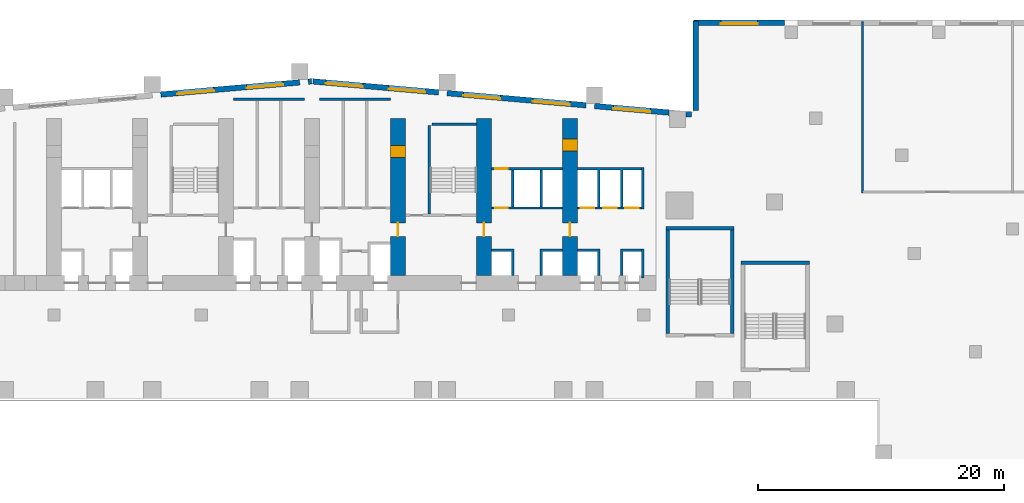
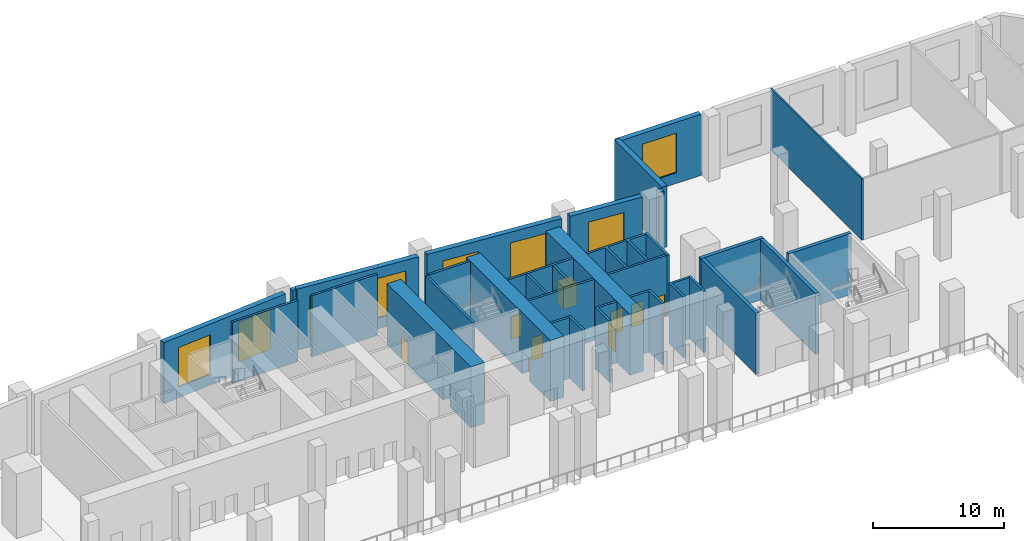
# One storey, part 16 of 30: 32 walls, 10 doors, 8 windows, 18 openings.
"""IFC4 building model written with IfcOpenShell, lengths in metres."""

import ifcopenshell
import ifcopenshell.guid

model = None  # the IFC model being written
_history = None  # IfcOwnerHistory: only IFC2X3 demands one
_inside = {}  # id of a spatial element -> (the spatial element, [elements in it])
_under = {}  # id of a project, library or spatial element -> (it, [spatial elements below it])
_declared = {}  # id of a project -> (the project, [libraries it declares])
_typed = {}  # id of a type object -> (the type object, [elements of that type])
_made_of = {}  # id of a material, layer set ... -> (it, [elements and type objects made of it])


def new_model(schema):
    """Start an empty IFC model of exactly this schema.

    Asked for "IFC4X3", IfcOpenShell would pick the latest addendum, in which some entities
    have other attributes; the version numbers below select the first issue.
    IFC2X3 requires an IfcOwnerHistory on every rooted entity: one is made here for all.
    """
    global model, _history
    if schema == "IFC4X3":
        model = ifcopenshell.file(schema_version=(4, 3, 0, 0))
    else:
        model = ifcopenshell.file(schema=schema)
    _inside.clear()
    _under.clear()
    _declared.clear()
    _typed.clear()
    _made_of.clear()
    _history = None
    if model.schema == "IFC2X3":
        org = make("IfcOrganization", Name="unknown")
        user = make(
            "IfcPersonAndOrganization",
            ThePerson=make("IfcPerson", FamilyName="unknown"),
            TheOrganization=org,
        )
        app = make(
            "IfcApplication",
            ApplicationDeveloper=org,
            Version="unknown",
            ApplicationFullName="unknown",
            ApplicationIdentifier="unknown",
        )
        _history = make(
            "IfcOwnerHistory",
            OwningUser=user,
            OwningApplication=app,
            ChangeAction="ADDED",
            CreationDate=0,
        )
    return model


def make(cls, **values):
    """One entity of the class cls with the attributes given. An attribute that is None is left unset."""
    return model.create_entity(
        cls, **{name: value for name, value in values.items() if value is not None}
    )


def rooted(cls, **values):
    """An entity with a GlobalId (a new one), such as an element, a storey or a relation."""
    return make(cls, GlobalId=ifcopenshell.guid.new(), OwnerHistory=_history, **values)


def si_unit(unit_type, name, prefix=None):
    """IfcSIUnit, for example si_unit("LENGTHUNIT", "METRE", prefix="MILLI")."""
    return make("IfcSIUnit", UnitType=unit_type, Prefix=prefix, Name=name)


def assignment(units):
    """IfcUnitAssignment: the units of a project."""
    return None if units is None else make("IfcUnitAssignment", Units=units)


def point(xyz):
    """IfcCartesianPoint."""
    return None if xyz is None else make("IfcCartesianPoint", Coordinates=xyz)


def direction(xyz):
    """IfcDirection."""
    return None if xyz is None else make("IfcDirection", DirectionRatios=xyz)


def frame(location, z_axis=None, x_axis=None):
    """IfcAxis2Placement3D, a coordinate frame: its origin and axes. An axis left out is left unset."""
    return make(
        "IfcAxis2Placement3D",
        Location=point(location),
        Axis=direction(z_axis),
        RefDirection=direction(x_axis),
    )


def frame_2d(location, x_axis=None):
    """IfcAxis2Placement2D, a coordinate frame in the plane: its origin and x axis."""
    return make(
        "IfcAxis2Placement2D", Location=point(location), RefDirection=direction(x_axis)
    )


def origin():
    """The frame at (0, 0, 0) with its axes left unset."""
    return frame((0.0, 0.0, 0.0))


def place(relative_to, where):
    """IfcLocalPlacement: puts the frame where relative to a parent placement (None: the world)."""
    return make(
        "IfcLocalPlacement", PlacementRelTo=relative_to, RelativePlacement=where
    )


def context(
    kind, dimensions, precision=None, world=None, true_north=None, identifier=None
):
    """IfcGeometricRepresentationContext, for example the 3D "Model" context."""
    return make(
        "IfcGeometricRepresentationContext",
        ContextIdentifier=identifier,
        ContextType=kind,
        CoordinateSpaceDimension=dimensions,
        Precision=precision,
        WorldCoordinateSystem=world,
        TrueNorth=true_north,
    )


def subcontext(parent, identifier, kind, view, scale=None):
    """IfcGeometricRepresentationSubContext, for example "Body" below "Model"."""
    return make(
        "IfcGeometricRepresentationSubContext",
        ContextIdentifier=identifier,
        ContextType=kind,
        ParentContext=parent,
        TargetScale=scale,
        TargetView=view,
    )


def project(units=None, contexts=None):
    """IfcProject with its units and contexts."""
    return rooted(
        "IfcProject",
        Name="project",
        RepresentationContexts=contexts,
        UnitsInContext=assignment(units),
    )


def spatial(cls, under=None, at=None, **own):
    """A site, building, storey or space (cls), placed at a placement, below another one or the project."""
    s = rooted(cls, ObjectPlacement=at, **own)
    if under is not None:
        _under.setdefault(under.id(), (under, []))[1].append(s)
    return s


def polyline(points):
    """IfcPolyline through the points."""
    return make("IfcPolyline", Points=[point(p) for p in points])


def profile(cls, at=None, kind="AREA", **sizes):
    """A parametric profile (cls). Its sizes go by their IFC names, for example OverallWidth=200.0."""
    return make(cls, ProfileType=kind, Position=at, **sizes)


def rectangle(**sizes):
    """IfcRectangleProfileDef."""
    return profile("IfcRectangleProfileDef", **sizes)


def outline(outer, holes=None, kind="AREA"):
    """IfcArbitraryClosedProfileDef: a profile drawn as a closed curve; with holes, ...WithVoids."""
    if holes is None:
        return make("IfcArbitraryClosedProfileDef", ProfileType=kind, OuterCurve=outer)
    return make(
        "IfcArbitraryProfileDefWithVoids",
        ProfileType=kind,
        OuterCurve=outer,
        InnerCurves=holes,
    )


def extrude(swept, where, along, depth):
    """IfcExtrudedAreaSolid: the profile swept, set in the frame where, extruded along a direction by depth."""
    return make(
        "IfcExtrudedAreaSolid",
        SweptArea=swept,
        Position=where,
        ExtrudedDirection=direction(along),
        Depth=depth,
    )


def shape(context_of_items, identifier, shape_type, items):
    """IfcShapeRepresentation: the items that make up one representation, for example the "Body"."""
    return make(
        "IfcShapeRepresentation",
        ContextOfItems=context_of_items,
        RepresentationIdentifier=identifier,
        RepresentationType=shape_type,
        Items=items,
    )


def material(Name=None, Category=None):
    """IfcMaterial."""
    return make("IfcMaterial", Name=Name, Category=Category)


def layer(
    of_material, thickness, ventilated=None, Name=None, Category=None, Priority=None
):
    """IfcMaterialLayer: one layer of a wall or slab, of a material (None: an air gap)."""
    return make(
        "IfcMaterialLayer",
        Material=of_material,
        LayerThickness=thickness,
        IsVentilated=ventilated,
        Name=Name,
        Category=Category,
        Priority=Priority,
    )


def layer_set(layers, Name=None):
    """IfcMaterialLayerSet."""
    return make("IfcMaterialLayerSet", MaterialLayers=layers, LayerSetName=Name)


def made_of(thing, what):
    """Note that an element or type object is made of a material, layer set ...; save() writes the relation."""
    if what is not None:
        _made_of.setdefault(what.id(), (what, []))[1].append(thing)
    return thing


def type_object(cls, material=None, **own):
    """A type object (cls), such as IfcWallType, which elements share."""
    return made_of(rooted(cls, **own), material)


def element(
    cls,
    number,
    at=None,
    inside=None,
    cuts=None,
    type_object=None,
    material=None,
    context=None,
    identifier="Body",
    shape_type=None,
    held_by="IfcProductDefinitionShape",
    body=None,
    shapes=None,
    **own,
):
    """One element of the class cls, such as IfcWall. Its Tag is "e" and its number.

    at: its placement. inside: the storey or other place that contains it. cuts: it is an
    opening in that element (IfcRelVoidsElement). A single representation is given by context,
    identifier, shape_type and body (its items); several are given by shapes. held_by: the class
    of the entity that holds the representations. save() writes the other relations.
    """
    e = rooted(cls, Tag="e%d" % number, ObjectPlacement=at, **own)
    if body is not None:
        shapes = [shape(context, identifier, shape_type, body)]
    if shapes is not None:
        e.Representation = make(held_by, Representations=shapes)
    if inside is not None:
        _inside.setdefault(inside.id(), (inside, []))[1].append(e)
    if cuts is not None:
        rooted(
            "IfcRelVoidsElement", RelatingBuildingElement=cuts, RelatedOpeningElement=e
        )
    if type_object is not None:
        _typed.setdefault(type_object.id(), (type_object, []))[1].append(e)
    return made_of(e, material)


def fill(opening, filler):
    """IfcRelFillsElement: the door or window that sits in an opening."""
    return rooted(
        "IfcRelFillsElement",
        RelatingOpeningElement=opening,
        RelatedBuildingElement=filler,
    )


def aggregate(whole, parts):
    """IfcRelAggregates: a whole, such as a stair, and the parts it consists of."""
    return rooted("IfcRelAggregates", RelatingObject=whole, RelatedObjects=parts)


def save(model, path):
    """Write the relations noted so far, then the file.

    IfcRelAggregates (storeys below a building ...), IfcRelContainedInSpatialStructure (elements
    in a storey), IfcRelDefinesByType, IfcRelAssociatesMaterial and IfcRelDeclares: one each for
    every whole, place, type object, material and project.
    """
    for whole, parts in _under.values():
        aggregate(whole, parts)
    for where, things in _inside.values():
        rooted(
            "IfcRelContainedInSpatialStructure",
            RelatedElements=things,
            RelatingStructure=where,
        )
    for kind, things in _typed.values():
        rooted("IfcRelDefinesByType", RelatedObjects=things, RelatingType=kind)
    for what, things in _made_of.values():
        rooted("IfcRelAssociatesMaterial", RelatedObjects=things, RelatingMaterial=what)
    for by, libraries in _declared.values():
        rooted("IfcRelDeclares", RelatingContext=by, RelatedDefinitions=libraries)
    model.write(path)


model = new_model("IFC4")

# Units and contexts
model_context = context("Model", 3, precision=1e-05, world=origin(), true_north=direction((0.0, 1.0)))
body_context = subcontext(model_context, "Body", "Model", "MODEL_VIEW")
ifc_project = project(units=[si_unit("LENGTHUNIT", "METRE"), si_unit("AREAUNIT", "SQUARE_METRE"), si_unit("VOLUMEUNIT", "CUBIC_METRE"), si_unit("PLANEANGLEUNIT", "RADIAN"), si_unit("MASSUNIT", "GRAM", prefix="KILO")], contexts=[model_context])

# Site, building, storey
site_placement = place(None, origin())
site = spatial("IfcSite", under=ifc_project, at=site_placement, CompositionType="ELEMENT")
building_placement = place(site_placement, origin())
building = spatial("IfcBuilding", under=site, at=building_placement, Name="Wharfspan Tower", CompositionType="ELEMENT")
storey_placement = place(building_placement, frame((0.0, 0.0, 21.5)))
storey = spatial("IfcBuildingStorey", under=building, at=storey_placement, Name="L03", CompositionType="ELEMENT", Elevation=21.5)

# Walls
ifc_material_1 = material(Name="Calcium silicate masonry", Category="masonry")
ifc_layer_1 = layer(ifc_material_1, 0.199951)
ifc_layer_set_1 = layer_set([ifc_layer_1], Name="Calcium silicate masonry")
wall_type_1 = type_object("IfcWallType", Name="Core room wall 200", PredefinedType="PARTITIONING", material=ifc_layer_set_1)
for number, where, z_axis, x_axis, name in (
    (1, (30.600098, 49.55249, 0.0), (0.0, 0.0, 1.0), (1.0, 0.0, 0.0), "sw:L03:RS3"),
    (2, (37.600098, 49.55249, 0.0), (0.0, 0.0, 1.0), (1.0, 0.0, 0.0), "sw:L03:RS4"),
):
    element("IfcWall", number, at=place(storey_placement, frame(where, z_axis=z_axis, x_axis=x_axis)), inside=storey, type_object=wall_type_1, Name=name, PredefinedType="PARTITIONING", context=body_context, shape_type="SweptSolid", body=[
        extrude(rectangle(XDim=5.799805, YDim=0.199951, at=frame_2d((2.899902, 0.0))), origin(), (0.0, 0.0, 1.0), 5.699951),
    ])

# Wall, openings, doors
ifc_material_2 = material(Name="Concrete C70/85", Category="concrete")
ifc_layer_2 = layer(ifc_material_2, 1.199951)
ifc_layer_set_2 = layer_set([ifc_layer_2], Name="Concrete C70/85")
wall_type_2 = type_object("IfcWallType", Name="Core wall fallback 1.2", PredefinedType="SHEAR", material=ifc_layer_set_2)
wall_1_placement = place(storey_placement, frame((44.0, 35.199951, 0.0), z_axis=(0.0, 0.0, 1.0), x_axis=(0.0, 1.0, 0.0)))
wall_1 = element("IfcWall", 3, at=wall_1_placement, inside=storey, type_object=wall_type_2, Name="cw:L03:X5", PredefinedType="SHEAR", context=body_context, shape_type="SweptSolid", body=[
    extrude(rectangle(XDim=12.800049, YDim=1.199951, at=frame_2d((6.399902, 0.0))), origin(), (0.0, 0.0, 1.0), 5.699951),
])
opening_1_placement = place(wall_1_placement, frame((3.199951, 0.0, 0.0)))
opening_1 = element("IfcOpeningElement", 4, at=opening_1_placement, cuts=wall_1, Name="Opening CC03.5", PredefinedType="OPENING", context=body_context, shape_type="SweptSolid", body=[
    extrude(rectangle(XDim=1.100098, YDim=2.100098, at=frame_2d((0.550049, 1.050049))), frame((0.0, 0.609863, 0.0), z_axis=(0.0, -1.0, 0.0), x_axis=(1.0, 0.0, 0.0)), (0.0, 0.0, 1.0), 1.219971),
])
opening_2_placement = place(wall_1_placement, frame((9.600098, 0.0, 0.0)))
opening_2 = element("IfcOpeningElement", 5, at=opening_2_placement, cuts=wall_1, Name="Opening CR03.5", PredefinedType="OPENING", context=body_context, shape_type="SweptSolid", body=[
    extrude(rectangle(XDim=1.0, YDim=2.100098, at=frame_2d((0.5, 1.050049))), frame((0.0, 0.609863, 0.0), z_axis=(0.0, -1.0, 0.0), x_axis=(1.0, 0.0, 0.0)), (0.0, 0.0, 1.0), 1.219971),
])
ifc_material_3 = material(Name="Steel door leaf", Category="steel")
door_type_1 = type_object("IfcDoorType", Name="Core corridor door 1100x2100", OperationType="SINGLE_SWING_LEFT", PredefinedType="DOOR", material=ifc_material_3)
door_1_placement = place(opening_1_placement, origin())
door_1 = element("IfcDoor", 6, at=door_1_placement, inside=storey, type_object=door_type_1, Name="xd:L03:5", OperationType="SINGLE_SWING_LEFT", OverallHeight=2.100098, OverallWidth=1.100098, PredefinedType="DOOR", context=body_context, shape_type="SweptSolid", body=[
    extrude(rectangle(XDim=1.100098, YDim=2.100098, at=frame_2d((0.550049, 1.050049))), frame((0.0, 0.024902, 0.0), z_axis=(0.0, -1.0, 0.0), x_axis=(1.0, 0.0, 0.0)), (0.0, 0.0, 1.0), 0.050049),
])
fill(opening_1, door_1)
door_type_2 = type_object("IfcDoorType", Name="Core room door 1000x2100", OperationType="SINGLE_SWING_LEFT", PredefinedType="DOOR", material=ifc_material_3)
door_2_placement = place(opening_2_placement, origin())
door_2 = element("IfcDoor", 7, at=door_2_placement, inside=storey, type_object=door_type_2, Name="xr:L03:5", OperationType="SINGLE_SWING_RIGHT", OverallHeight=2.100098, OverallWidth=1.0, PredefinedType="DOOR", context=body_context, shape_type="SweptSolid", body=[
    extrude(rectangle(XDim=1.0, YDim=2.100098, at=frame_2d((0.5, 1.050049))), frame((0.0, 0.599609, 0.0), z_axis=(0.0, -1.0, 0.0), x_axis=(1.0, 0.0, 0.0)), (0.0, 0.0, 1.0), 1.199463),
])
fill(opening_2, door_2)

# Wall, opening, door
wall_2_placement = place(storey_placement, frame((51.0, 35.199951, 0.0), z_axis=(0.0, 0.0, 1.0), x_axis=(0.0, 1.0, 0.0)))
wall_2 = element("IfcWall", 8, at=wall_2_placement, inside=storey, type_object=wall_type_2, Name="cw:L03:X6", PredefinedType="SHEAR", context=body_context, shape_type="SweptSolid", body=[
    extrude(rectangle(XDim=12.800049, YDim=1.199951, at=frame_2d((6.399902, 0.0))), origin(), (0.0, 0.0, 1.0), 5.699951),
])
opening_3_placement = place(wall_2_placement, frame((3.199951, 0.0, 0.0)))
opening_3 = element("IfcOpeningElement", 9, at=opening_3_placement, cuts=wall_2, Name="Opening CC03.6", PredefinedType="OPENING", context=body_context, shape_type="SweptSolid", body=[
    extrude(rectangle(XDim=1.100098, YDim=2.100098, at=frame_2d((0.550049, 1.050049))), frame((0.0, 0.609863, 0.0), z_axis=(0.0, -1.0, 0.0), x_axis=(1.0, 0.0, 0.0)), (0.0, 0.0, 1.0), 1.219971),
])
door_3_placement = place(opening_3_placement, origin())
door_3 = element("IfcDoor", 10, at=door_3_placement, inside=storey, type_object=door_type_1, Name="xd:L03:6", OperationType="SINGLE_SWING_RIGHT", OverallHeight=2.100098, OverallWidth=1.100098, PredefinedType="DOOR", context=body_context, shape_type="SweptSolid", body=[
    extrude(rectangle(XDim=1.100098, YDim=2.100098, at=frame_2d((0.550049, 1.050049))), frame((0.0, 0.024902, 0.0), z_axis=(0.0, -1.0, 0.0), x_axis=(1.0, 0.0, 0.0)), (0.0, 0.0, 1.0), 0.050049),
])
fill(opening_3, door_3)

# Wall, openings, doors
wall_3_placement = place(storey_placement, frame((58.0, 35.199951, 0.0), z_axis=(0.0, 0.0, 1.0), x_axis=(0.0, 1.0, 0.0)))
wall_3 = element("IfcWall", 11, at=wall_3_placement, inside=storey, type_object=wall_type_2, Name="cw:L03:X7", PredefinedType="SHEAR", context=body_context, shape_type="SweptSolid", body=[
    extrude(rectangle(XDim=12.800049, YDim=1.199951, at=frame_2d((6.399902, 0.0))), origin(), (0.0, 0.0, 1.0), 5.699951),
])
opening_4_placement = place(wall_3_placement, frame((10.133789, 0.0, 0.0)))
opening_4 = element("IfcOpeningElement", 12, at=opening_4_placement, cuts=wall_3, Name="Opening CD03.7X", PredefinedType="OPENING", context=body_context, shape_type="SweptSolid", body=[
    extrude(rectangle(XDim=1.0, YDim=2.100098, at=frame_2d((0.5, 1.050049))), frame((0.0, 0.609863, 0.0), z_axis=(0.0, -1.0, 0.0), x_axis=(1.0, 0.0, 0.0)), (0.0, 0.0, 1.0), 1.219971),
])
opening_5_placement = place(wall_3_placement, frame((3.199951, 0.0, 0.0)))
opening_5 = element("IfcOpeningElement", 13, at=opening_5_placement, cuts=wall_3, Name="Opening CC03.7", PredefinedType="OPENING", context=body_context, shape_type="SweptSolid", body=[
    extrude(rectangle(XDim=1.100098, YDim=2.100098, at=frame_2d((0.550049, 1.050049))), frame((0.0, 0.609863, 0.0), z_axis=(0.0, -1.0, 0.0), x_axis=(1.0, 0.0, 0.0)), (0.0, 0.0, 1.0), 1.219971),
])
door_4_placement = place(opening_5_placement, origin())
door_4 = element("IfcDoor", 14, at=door_4_placement, inside=storey, type_object=door_type_1, Name="xd:L03:7", OperationType="SINGLE_SWING_LEFT", OverallHeight=2.100098, OverallWidth=1.100098, PredefinedType="DOOR", context=body_context, shape_type="SweptSolid", body=[
    extrude(rectangle(XDim=1.100098, YDim=2.100098, at=frame_2d((0.550049, 1.050049))), frame((0.0, 0.024902, 0.0), z_axis=(0.0, -1.0, 0.0), x_axis=(1.0, 0.0, 0.0)), (0.0, 0.0, 1.0), 0.050049),
])
fill(opening_5, door_4)
door_5_placement = place(opening_4_placement, origin())
door_5 = element("IfcDoor", 15, at=door_5_placement, inside=storey, type_object=door_type_2, Name="d:L03:7:sx", OperationType="SINGLE_SWING_LEFT", OverallHeight=2.100098, OverallWidth=1.0, PredefinedType="DOOR", context=body_context, shape_type="SweptSolid", body=[
    extrude(rectangle(XDim=1.0, YDim=2.100098, at=frame_2d((0.5, 1.050049))), frame((0.0, 0.599609, 0.0), z_axis=(0.0, -1.0, 0.0), x_axis=(1.0, 0.0, 0.0)), (0.0, 0.0, 1.0), 1.199463),
])
fill(opening_4, door_5)

# Wall, opening, door
ifc_material_4 = material(Name="Concrete C30/37", Category="concrete")
ifc_layer_3 = layer(ifc_material_4, 0.199951)
ifc_layer_set_3 = layer_set([ifc_layer_3], Name="Concrete C30/37")
wall_type_3 = type_object("IfcWallType", Name="Lift shaft wall 200", PredefinedType="PARTITIONING", material=ifc_layer_set_3)
wall_4_placement = place(storey_placement, frame((51.600098, 40.699951, 0.0), z_axis=(0.0, 0.0, 1.0), x_axis=(1.0, 0.0, 0.0)))
wall_4 = element("IfcWall", 16, at=wall_4_placement, inside=storey, type_object=wall_type_3, Name="sw:L03:RF6", PredefinedType="PARTITIONING", context=body_context, shape_type="SweptSolid", body=[
    extrude(rectangle(XDim=5.799805, YDim=0.199951, at=frame_2d((2.899902, 0.0))), origin(), (0.0, 0.0, 1.0), 5.699951),
])
opening_6_placement = place(wall_4_placement, frame((0.31665, 0.0, 0.0)))
opening_6 = element("IfcOpeningElement", 17, at=opening_6_placement, cuts=wall_4, Name="Opening CD03.6R1", PredefinedType="OPENING", context=body_context, shape_type="SweptSolid", body=[
    extrude(rectangle(XDim=1.0, YDim=2.100098, at=frame_2d((0.5, 1.050049))), frame((0.0, 0.109863, 0.0), z_axis=(0.0, -1.0, 0.0), x_axis=(1.0, 0.0, 0.0)), (0.0, 0.0, 1.0), 0.219971),
])
door_6_placement = place(opening_6_placement, origin())
door_6 = element("IfcDoor", 18, at=door_6_placement, inside=storey, type_object=door_type_2, Name="d:L03:6:rd6.1", OperationType="SINGLE_SWING_RIGHT", OverallHeight=2.100098, OverallWidth=1.0, PredefinedType="DOOR", context=body_context, shape_type="SweptSolid", body=[
    extrude(rectangle(XDim=1.0, YDim=2.100098, at=frame_2d((0.5, 1.050049))), frame((0.0, 0.024902, 0.0), z_axis=(0.0, -1.0, 0.0), x_axis=(1.0, 0.0, 0.0)), (0.0, 0.0, 1.0), 0.050049),
])
fill(opening_6, door_6)

wall_5_placement = place(storey_placement, frame((51.600098, 43.899902, 0.0), z_axis=(0.0, 0.0, 1.0), x_axis=(1.0, 0.0, 0.0)))
wall_5 = element("IfcWall", 19, at=wall_5_placement, inside=storey, type_object=wall_type_3, Name="sw:L03:RR6", PredefinedType="PARTITIONING", context=body_context, shape_type="SweptSolid", body=[
    extrude(rectangle(XDim=5.799805, YDim=0.199951, at=frame_2d((2.899902, 0.0))), origin(), (0.0, 0.0, 1.0), 5.699951),
])
opening_7_placement = place(wall_5_placement, frame((0.31665, 0.0, 0.0)))
opening_7 = element("IfcOpeningElement", 20, at=opening_7_placement, cuts=wall_5, Name="Opening CD03.6S1", PredefinedType="OPENING", context=body_context, shape_type="SweptSolid", body=[
    extrude(rectangle(XDim=1.0, YDim=2.100098, at=frame_2d((0.5, 1.050049))), frame((0.0, 0.109863, 0.0), z_axis=(0.0, -1.0, 0.0), x_axis=(1.0, 0.0, 0.0)), (0.0, 0.0, 1.0), 0.219971),
])
door_7_placement = place(opening_7_placement, origin())
door_7 = element("IfcDoor", 21, at=door_7_placement, inside=storey, type_object=door_type_2, Name="d:L03:6:rs6.1", OperationType="SINGLE_SWING_LEFT", OverallHeight=2.100098, OverallWidth=1.0, PredefinedType="DOOR", context=body_context, shape_type="SweptSolid", body=[
    extrude(rectangle(XDim=1.0, YDim=2.100098, at=frame_2d((0.5, 1.050049))), frame((0.0, 0.024902, 0.0), z_axis=(0.0, -1.0, 0.0), x_axis=(1.0, 0.0, 0.0)), (0.0, 0.0, 1.0), 0.050049),
])
fill(opening_7, door_7)

# Walls
wall_6_placement = place(storey_placement, frame((0.0, 0.0, -0.000244)))
element("IfcWall", 22, at=wall_6_placement, inside=storey, type_object=wall_type_3, Name="sw:L03:FM6.0", PredefinedType="PARTITIONING", context=body_context, shape_type="SweptSolid", body=[
    extrude(outline(polyline([(53.233398, 37.149902), (51.600098, 37.149902), (51.600098, 37.350098), (53.233398, 37.350098), (53.43335, 37.350098), (53.43335, 35.199951), (53.233398, 35.199951), (53.233398, 37.149902)])), origin(), (0.0, 0.0, 1.0), 5.700195),
])
wall_7_placement = place(storey_placement, frame((0.0, 0.0, -0.000244)))
element("IfcWall", 23, at=wall_7_placement, inside=storey, type_object=wall_type_3, Name="sw:L03:FM6.1", PredefinedType="PARTITIONING", context=body_context, shape_type="SweptSolid", body=[
    extrude(outline(polyline([(55.56665, 37.350098), (55.766602, 37.350098), (57.399902, 37.350098), (57.399902, 37.149902), (55.766602, 37.149902), (55.766602, 35.199951), (55.56665, 35.199951), (55.56665, 37.350098)])), origin(), (0.0, 0.0, 1.0), 5.700195),
])
wall_8_placement = place(storey_placement, frame((0.0, 0.0, -0.000244)))
element("IfcWall", 24, at=wall_8_placement, inside=storey, type_object=wall_type_3, Name="sw:L03:RM6.0", PredefinedType="PARTITIONING", context=body_context, shape_type="SweptSolid", body=[
    extrude(outline(polyline([(53.233398, 40.800049), (53.233398, 43.800049), (53.43335, 43.800049), (53.43335, 40.800049), (53.233398, 40.800049)])), origin(), (0.0, 0.0, 1.0), 5.700195),
])
wall_9_placement = place(storey_placement, frame((0.0, 0.0, -0.000244)))
element("IfcWall", 25, at=wall_9_placement, inside=storey, type_object=wall_type_3, Name="sw:L03:RM6.1", PredefinedType="PARTITIONING", context=body_context, shape_type="SweptSolid", body=[
    extrude(outline(polyline([(55.56665, 40.800049), (55.56665, 43.800049), (55.766602, 43.800049), (55.766602, 40.800049), (55.56665, 40.800049)])), origin(), (0.0, 0.0, 1.0), 5.700195),
])

# Wall, openings, doors
wall_10_placement = place(storey_placement, frame((58.600098, 40.699951, 0.0), z_axis=(0.0, 0.0, 1.0), x_axis=(1.0, 0.0, 0.0)))
wall_10 = element("IfcWall", 26, at=wall_10_placement, inside=storey, type_object=wall_type_3, Name="sw:L03:RF7", PredefinedType="PARTITIONING", context=body_context, shape_type="SweptSolid", body=[
    extrude(rectangle(XDim=5.199951, YDim=0.199951, at=frame_2d((2.600098, 0.0))), origin(), (0.0, 0.0, 1.0), 5.699951),
])
opening_8_placement = place(wall_10_placement, frame((0.266602, 0.0, 0.0)))
opening_8 = element("IfcOpeningElement", 27, at=opening_8_placement, cuts=wall_10, Name="Opening LD.LA8.L03", PredefinedType="OPENING", context=body_context, shape_type="SweptSolid", body=[
    extrude(rectangle(XDim=1.100098, YDim=2.100098, at=frame_2d((0.550049, 1.050049))), frame((0.0, 0.109863, 0.0), z_axis=(0.0, -1.0, 0.0), x_axis=(1.0, 0.0, 0.0)), (0.0, 0.0, 1.0), 0.219971),
])
opening_9_placement = place(wall_10_placement, frame((2.116699, 0.0, 0.0)))
opening_9 = element("IfcOpeningElement", 28, at=opening_9_placement, cuts=wall_10, Name="Opening LD.LA9.L03", PredefinedType="OPENING", context=body_context, shape_type="SweptSolid", body=[
    extrude(rectangle(XDim=1.100098, YDim=2.100098, at=frame_2d((0.550049, 1.050049))), frame((0.0, 0.109863, 0.0), z_axis=(0.0, -1.0, 0.0), x_axis=(1.0, 0.0, 0.0)), (0.0, 0.0, 1.0), 0.219971),
])
opening_10_placement = place(wall_10_placement, frame((3.899902, 0.0, 0.0)))
opening_10 = element("IfcOpeningElement", 29, at=opening_10_placement, cuts=wall_10, Name="Opening LD.LA10.L03", PredefinedType="OPENING", context=body_context, shape_type="SweptSolid", body=[
    extrude(rectangle(XDim=1.100098, YDim=2.100098, at=frame_2d((0.550049, 1.050049))), frame((0.0, 0.109863, 0.0), z_axis=(0.0, -1.0, 0.0), x_axis=(1.0, 0.0, 0.0)), (0.0, 0.0, 1.0), 0.219971),
])
ifc_material_5 = material(Name="Stainless steel", Category="steel")
door_type_3 = type_object("IfcDoorType", Name="Lift landing door 1100x2100", OperationType="DOUBLE_DOOR_SLIDING", PredefinedType="DOOR", material=ifc_material_5)
door_8_placement = place(opening_8_placement, origin())
door_8 = element("IfcDoor", 30, at=door_8_placement, inside=storey, type_object=door_type_3, Name="Landing door LA8 L03", OperationType="DOUBLE_DOOR_SLIDING", OverallHeight=2.100098, OverallWidth=1.100098, PredefinedType="DOOR", context=body_context, shape_type="SweptSolid", body=[
    extrude(rectangle(XDim=1.100098, YDim=2.100098, at=frame_2d((0.550049, 1.050049))), frame((0.0, 0.024902, 0.0), z_axis=(0.0, -1.0, 0.0), x_axis=(1.0, 0.0, 0.0)), (0.0, 0.0, 1.0), 0.050049),
])
fill(opening_8, door_8)
door_9_placement = place(opening_9_placement, origin())
door_9 = element("IfcDoor", 31, at=door_9_placement, inside=storey, type_object=door_type_3, Name="Landing door LA9 L03", OperationType="DOUBLE_DOOR_SLIDING", OverallHeight=2.100098, OverallWidth=1.100098, PredefinedType="DOOR", context=body_context, shape_type="SweptSolid", body=[
    extrude(rectangle(XDim=1.100098, YDim=2.100098, at=frame_2d((0.550049, 1.050049))), frame((0.0, 0.024902, 0.0), z_axis=(0.0, -1.0, 0.0), x_axis=(1.0, 0.0, 0.0)), (0.0, 0.0, 1.0), 0.050049),
])
fill(opening_9, door_9)
door_10_placement = place(opening_10_placement, origin())
door_10 = element("IfcDoor", 32, at=door_10_placement, inside=storey, type_object=door_type_3, Name="Landing door LA10 L03", OperationType="DOUBLE_DOOR_SLIDING", OverallHeight=2.100098, OverallWidth=1.100098, PredefinedType="DOOR", context=body_context, shape_type="SweptSolid", body=[
    extrude(rectangle(XDim=1.100098, YDim=2.100098, at=frame_2d((0.550049, 1.050049))), frame((0.0, 0.024902, 0.0), z_axis=(0.0, -1.0, 0.0), x_axis=(1.0, 0.0, 0.0)), (0.0, 0.0, 1.0), 0.050049),
])
fill(opening_10, door_10)

# Walls
wall_11_placement = place(storey_placement, frame((0.0, 0.0, -0.000244)))
element("IfcWall", 33, at=wall_11_placement, inside=storey, type_object=wall_type_3, Name="sw:L03:FM7.0", PredefinedType="PARTITIONING", context=body_context, shape_type="SweptSolid", body=[
    extrude(outline(polyline([(60.233398, 37.149902), (58.600098, 37.149902), (58.600098, 37.350098), (60.233398, 37.350098), (60.43335, 37.350098), (60.43335, 35.199951), (60.233398, 35.199951), (60.233398, 37.149902)])), origin(), (0.0, 0.0, 1.0), 5.700195),
])
wall_12_placement = place(storey_placement, frame((0.0, 0.0, -0.000244)))
element("IfcWall", 34, at=wall_12_placement, inside=storey, type_object=wall_type_3, Name="sw:L03:FM7.1", PredefinedType="PARTITIONING", context=body_context, shape_type="SweptSolid", body=[
    extrude(outline(polyline([(62.100098, 37.350098), (62.300049, 37.350098), (63.800049, 37.350098), (63.800049, 37.149902), (62.300049, 37.149902), (62.300049, 35.199951), (62.100098, 35.199951), (62.100098, 37.350098)])), origin(), (0.0, 0.0, 1.0), 5.700195),
])
wall_13_placement = place(storey_placement, frame((0.0, 0.0, -0.000244)))
element("IfcWall", 35, at=wall_13_placement, inside=storey, type_object=wall_type_3, Name="sw:L03:RM7.0", PredefinedType="PARTITIONING", context=body_context, shape_type="SweptSolid", body=[
    extrude(outline(polyline([(60.43335, 40.800049), (60.233398, 40.800049), (60.233398, 43.800049), (58.600098, 43.800049), (58.600098, 44.0), (63.800049, 44.0), (63.800049, 43.800049), (62.300049, 43.800049), (62.300049, 40.800049), (62.100098, 40.800049), (62.100098, 43.800049), (60.43335, 43.800049), (60.43335, 40.800049)])), origin(), (0.0, 0.0, 1.0), 5.700195),
])
wall_14_placement = place(storey_placement, frame((63.899902, 35.0, 0.0), z_axis=(0.0, 0.0, 1.0), x_axis=(0.0, 1.0, 0.0)))
element("IfcWall", 36, at=wall_14_placement, inside=storey, type_object=wall_type_3, Name="sw:L03:ECF7", PredefinedType="PARTITIONING", context=body_context, shape_type="SweptSolid", body=[
    extrude(rectangle(XDim=2.350098, YDim=0.199951, at=frame_2d((1.175049, 0.0))), origin(), (0.0, 0.0, 1.0), 5.699951),
])
wall_15_placement = place(storey_placement, frame((63.899902, 40.600098, 0.0), z_axis=(0.0, 0.0, 1.0), x_axis=(0.0, 1.0, 0.0)))
element("IfcWall", 37, at=wall_15_placement, inside=storey, type_object=wall_type_3, Name="sw:L03:ECR7", PredefinedType="PARTITIONING", context=body_context, shape_type="SweptSolid", body=[
    extrude(rectangle(XDim=3.399902, YDim=0.199951, at=frame_2d((1.699951, 0.0))), origin(), (0.0, 0.0, 1.0), 5.699951),
])
ifc_layer_4 = layer(ifc_material_1, 0.149902)
ifc_layer_set_4 = layer_set([ifc_layer_4], Name="Calcium silicate masonry")
wall_type_4 = type_object("IfcWallType", Name="Podium room wall 150", PredefinedType="PARTITIONING", material=ifc_layer_set_4)
wall_16_placement = place(storey_placement, frame((81.800049, 41.925049, 0.0), z_axis=(0.0, 0.0, 1.0), x_axis=(0.0, 1.0, 0.0)))
element("IfcWall", 38, at=wall_16_placement, inside=storey, type_object=wall_type_4, Name="iw:L03:50", PredefinedType="PARTITIONING", context=body_context, shape_type="SweptSolid", body=[
    extrude(rectangle(XDim=13.925049, YDim=0.149902, at=frame_2d((6.962402, 0.0))), origin(), (0.0, 0.0, 1.0), 5.699951),
])
ifc_material_6 = material(Name="Concrete C40/50", Category="concrete")
ifc_layer_5 = layer(ifc_material_6, 0.300049)
ifc_layer_set_5 = layer_set([ifc_layer_5], Name="Concrete C40/50")
wall_type_5 = type_object("IfcWallType", Name="Podium stair core wall 300", PredefinedType="SHEAR", material=ifc_layer_set_5)
wall_17_placement = place(storey_placement, frame((65.800049, 39.050049, 0.0), z_axis=(0.0, 0.0, 1.0), x_axis=(1.0, 0.0, 0.0)))
element("IfcWall", 39, at=wall_17_placement, inside=storey, type_object=wall_type_5, Name="iw:L03:PS4N", PredefinedType="SHEAR", context=body_context, shape_type="SweptSolid", body=[
    extrude(rectangle(XDim=5.550049, YDim=0.300049, at=frame_2d((2.774902, 0.0))), origin(), (0.0, 0.0, 1.0), 5.699951),
])
for number, where, z_axis, x_axis, name in (
    (40, (65.949951, 30.5, 0.0), (0.0, 0.0, 1.0), (0.0, 1.0, 0.0), "iw:L03:PS4W"),
    (41, (71.199951, 30.5, 0.0), (0.0, 0.0, 1.0), (0.0, 1.0, 0.0), "iw:L03:PS4E"),
):
    element("IfcWall", number, at=place(storey_placement, frame(where, z_axis=z_axis, x_axis=x_axis)), inside=storey, type_object=wall_type_5, Name=name, PredefinedType="SHEAR", context=body_context, shape_type="SweptSolid", body=[
        extrude(rectangle(XDim=8.399902, YDim=0.300049, at=frame_2d((4.199951, 0.0))), origin(), (0.0, 0.0, 1.0), 5.699951),
    ])
wall_18_placement = place(storey_placement, frame((71.91748, 36.25, 0.0), z_axis=(0.0, 0.0, 1.0), x_axis=(1.0, 0.0, 0.0)))
element("IfcWall", 42, at=wall_18_placement, inside=storey, type_object=wall_type_5, Name="iw:L03:PS5N", PredefinedType="SHEAR", context=body_context, shape_type="SweptSolid", body=[
    extrude(rectangle(XDim=5.550049, YDim=0.300049, at=frame_2d((2.774902, 0.0))), origin(), (0.0, 0.0, 1.0), 5.699951),
])
ifc_layer_6 = layer(ifc_material_6, 0.199951)
ifc_layer_set_6 = layer_set([ifc_layer_6], Name="Concrete C40/50")
wall_type_6 = type_object("IfcWallType", Name="Stair shaft wall 200", PredefinedType="SHEAR", material=ifc_layer_set_6)
wall_19_placement = place(storey_placement, frame((46.550049, 40.199951, 0.0), z_axis=(0.0, 0.0, 1.0), x_axis=(0.0, 1.0, 0.0)))
element("IfcWall", 43, at=wall_19_placement, inside=storey, type_object=wall_type_6, Name="ST2 stair enclosure wall L03", PredefinedType="SHEAR", context=body_context, shape_type="SweptSolid", body=[
    extrude(rectangle(XDim=7.199951, YDim=0.199951, at=frame_2d((3.600098, 0.0))), origin(), (0.0, 0.0, 1.0), 5.699951),
])
wall_20_placement = place(storey_placement, frame((46.75, 47.5, 0.0), z_axis=(0.0, 0.0, 1.0), x_axis=(1.0, 0.0, 0.0)))
element("IfcWall", 44, at=wall_20_placement, inside=storey, type_object=wall_type_6, Name="ST2 stair enclosure wall L03", PredefinedType="SHEAR", context=body_context, shape_type="SweptSolid", body=[
    extrude(rectangle(XDim=3.649902, YDim=0.199951, at=frame_2d((1.824951, 0.0))), origin(), (0.0, 0.0, 1.0), 5.699951),
])

# Wall, opening, window
ifc_layer_7 = layer(ifc_material_6, 0.449951)
ifc_layer_set_7 = layer_set([ifc_layer_7], Name="Concrete C40/50")
wall_type_7 = type_object("IfcWallType", Name="WALL BOARD-MARKED CONCRETE 450", PredefinedType="SOLIDWALL", material=ifc_layer_set_7)
wall_21_placement = place(storey_placement, frame((75.449951, 55.774902, 0.0), z_axis=(0.0, 0.0, 1.0), x_axis=(-1.0, 0.0, 0.0)))
wall_21 = element("IfcWall", 45, at=wall_21_placement, inside=storey, type_object=wall_type_7, Name="Podium wall PF5", PredefinedType="SOLIDWALL", context=body_context, shape_type="SweptSolid", body=[
    extrude(rectangle(XDim=7.349854, YDim=0.449951, at=frame_2d((3.674805, 0.0))), origin(), (0.0, 0.0, 1.0), 5.699951),
])
opening_11_placement = place(wall_21_placement, frame((2.175049, 0.0, 1.0)))
opening_11 = element("IfcOpeningElement", 46, at=opening_11_placement, cuts=wall_21, Name="Opening EWN3", PredefinedType="OPENING", context=body_context, shape_type="SweptSolid", body=[
    extrude(rectangle(XDim=3.0, YDim=3.699951, at=frame_2d((1.5, 1.850098))), frame((0.0, 0.234863, 0.0), z_axis=(0.0, -1.0, 0.0), x_axis=(1.0, 0.0, 0.0)), (0.0, 0.0, 1.0), 0.469971),
])
ifc_material_7 = material(Name="Aluminium 6063-T6", Category="aluminium")
window_type = type_object("IfcWindowType", Name="WINDOW 3000x3700", PartitioningType="SINGLE_PANEL", PredefinedType="WINDOW", material=ifc_material_7)
window_1_placement = place(opening_11_placement, origin())
window_1 = element("IfcWindow", 47, at=window_1_placement, inside=storey, type_object=window_type, Name="Podium window", OverallHeight=3.699951, OverallWidth=3.0, PartitioningType="SINGLE_PANEL", PredefinedType="WINDOW", context=body_context, shape_type="SweptSolid", body=[
    extrude(rectangle(XDim=3.0, YDim=3.699951, at=frame_2d((1.5, 1.850098))), frame((0.0, 0.10498, 0.0), z_axis=(0.0, -1.0, 0.0), x_axis=(1.0, 0.0, 0.0)), (0.0, 0.0, 1.0), 0.060059),
])
fill(opening_11, window_1)

# Wall
wall_22_placement = place(storey_placement, frame((68.225098, 55.899902, 0.0), z_axis=(0.0, 0.0, 1.0), x_axis=(0.0, -1.0, 0.0)))
element("IfcWall", 48, at=wall_22_placement, inside=storey, type_object=wall_type_7, Name="Podium wall PF6", PredefinedType="SOLIDWALL", context=body_context, shape_type="SweptSolid", body=[
    extrude(rectangle(XDim=7.274658, YDim=0.449951, at=frame_2d((3.637207, 0.0))), origin(), (0.0, 0.0, 1.0), 5.699951),
])

# Wall, opening, window
wall_23_placement = place(storey_placement, frame((66.05835, 48.468994, 0.0), z_axis=(0.0, 0.0, 1.0), x_axis=(-0.996195, 0.087158, 0.0)))
wall_23 = element("IfcWall", 49, at=wall_23_placement, inside=storey, type_object=wall_type_7, Name="Podium wall PF7", PredefinedType="SOLIDWALL", context=body_context, shape_type="SweptSolid", body=[
    extrude(rectangle(XDim=6.081299, YDim=0.449951, at=frame_2d((3.040527, 0.0))), origin(), (0.0, 0.0, 1.0), 5.699951),
])
opening_12_placement = place(wall_23_placement, frame((1.540527, 0.0, 1.0)))
opening_12 = element("IfcOpeningElement", 50, at=opening_12_placement, cuts=wall_23, Name="Opening EWN3", PredefinedType="OPENING", context=body_context, shape_type="SweptSolid", body=[
    extrude(rectangle(XDim=3.0, YDim=3.699951, at=frame_2d((1.5, 1.850098))), frame((0.0, 0.234863, 0.0), z_axis=(0.0, -1.0, 0.0), x_axis=(1.0, 0.0, 0.0)), (0.0, 0.0, 1.0), 0.469971),
])
window_2_placement = place(opening_12_placement, origin())
window_2 = element("IfcWindow", 51, at=window_2_placement, inside=storey, type_object=window_type, Name="Podium window", OverallHeight=3.699951, OverallWidth=3.0, PartitioningType="SINGLE_PANEL", PredefinedType="WINDOW", context=body_context, shape_type="SweptSolid", body=[
    extrude(rectangle(XDim=3.0, YDim=3.699951, at=frame_2d((1.5, 1.850098))), frame((0.0, 0.10498, 0.0), z_axis=(0.0, -1.0, 0.0), x_axis=(1.0, 0.0, 0.0)), (0.0, 0.0, 1.0), 0.060059),
])
fill(opening_12, window_2)

# Wall, openings, windows
wall_24_placement = place(storey_placement, frame((59.300537, 49.060303, 0.0), z_axis=(0.0, 0.0, 1.0), x_axis=(-0.996195, 0.087145, 0.0)))
wall_24 = element("IfcWall", 52, at=wall_24_placement, inside=storey, type_object=wall_type_7, Name="Podium wall PF7", PredefinedType="SOLIDWALL", context=body_context, shape_type="SweptSolid", body=[
    extrude(rectangle(XDim=11.343506, YDim=0.449951, at=frame_2d((5.671875, 0.0))), origin(), (0.0, 0.0, 1.0), 5.699951),
])
opening_13_placement = place(wall_24_placement, frame((1.335938, 0.0, 1.0)))
opening_13 = element("IfcOpeningElement", 53, at=opening_13_placement, cuts=wall_24, Name="Opening EWN3", PredefinedType="OPENING", context=body_context, shape_type="SweptSolid", body=[
    extrude(rectangle(XDim=3.0, YDim=3.699951, at=frame_2d((1.5, 1.850098))), frame((0.0, 0.234863, 0.0), z_axis=(0.0, -1.0, 0.0), x_axis=(1.0, 0.0, 0.0)), (0.0, 0.0, 1.0), 0.469971),
])
opening_14_placement = place(wall_24_placement, frame((7.007568, 0.0, 1.0)))
opening_14 = element("IfcOpeningElement", 54, at=opening_14_placement, cuts=wall_24, Name="Opening EWN3", PredefinedType="OPENING", context=body_context, shape_type="SweptSolid", body=[
    extrude(rectangle(XDim=3.0, YDim=3.699951, at=frame_2d((1.5, 1.850098))), frame((0.0, 0.234863, 0.0), z_axis=(0.0, -1.0, 0.0), x_axis=(1.0, 0.0, 0.0)), (0.0, 0.0, 1.0), 0.469971),
])
window_3_placement = place(opening_13_placement, origin())
window_3 = element("IfcWindow", 55, at=window_3_placement, inside=storey, type_object=window_type, Name="Podium window", OverallHeight=3.699951, OverallWidth=3.0, PartitioningType="SINGLE_PANEL", PredefinedType="WINDOW", context=body_context, shape_type="SweptSolid", body=[
    extrude(rectangle(XDim=3.0, YDim=3.699951, at=frame_2d((1.5, 1.850098))), frame((0.0, 0.10498, 0.0), z_axis=(0.0, -1.0, 0.0), x_axis=(1.0, 0.0, 0.0)), (0.0, 0.0, 1.0), 0.060059),
])
fill(opening_13, window_3)
window_4_placement = place(opening_14_placement, origin())
window_4 = element("IfcWindow", 56, at=window_4_placement, inside=storey, type_object=window_type, Name="Podium window", OverallHeight=3.699951, OverallWidth=3.0, PartitioningType="SINGLE_PANEL", PredefinedType="WINDOW", context=body_context, shape_type="SweptSolid", body=[
    extrude(rectangle(XDim=3.0, YDim=3.699951, at=frame_2d((1.5, 1.850098))), frame((0.0, 0.10498, 0.0), z_axis=(0.0, -1.0, 0.0), x_axis=(1.0, 0.0, 0.0)), (0.0, 0.0, 1.0), 0.060059),
])
fill(opening_14, window_4)

wall_25_placement = place(storey_placement, frame((47.300537, 50.110107, 0.0), z_axis=(0.0, 0.0, 1.0), x_axis=(-0.996195, 0.087143, 0.0)))
wall_25 = element("IfcWall", 57, at=wall_25_placement, inside=storey, type_object=wall_type_7, Name="Podium wall PF7", PredefinedType="SOLIDWALL", context=body_context, shape_type="SweptSolid", body=[
    extrude(rectangle(XDim=10.259521, YDim=0.449951, at=frame_2d((5.129883, 0.0))), origin(), (0.0, 0.0, 1.0), 5.699951),
])
opening_15_placement = place(wall_25_placement, frame((1.064941, 0.0, 1.0)))
opening_15 = element("IfcOpeningElement", 58, at=opening_15_placement, cuts=wall_25, Name="Opening EWN3", PredefinedType="OPENING", context=body_context, shape_type="SweptSolid", body=[
    extrude(rectangle(XDim=3.0, YDim=3.699951, at=frame_2d((1.5, 1.850098))), frame((0.0, 0.234863, 0.0), z_axis=(0.0, -1.0, 0.0), x_axis=(1.0, 0.0, 0.0)), (0.0, 0.0, 1.0), 0.469971),
])
opening_16_placement = place(wall_25_placement, frame((6.19458, 0.0, 1.0)))
opening_16 = element("IfcOpeningElement", 59, at=opening_16_placement, cuts=wall_25, Name="Opening EWN3", PredefinedType="OPENING", context=body_context, shape_type="SweptSolid", body=[
    extrude(rectangle(XDim=3.0, YDim=3.699951, at=frame_2d((1.5, 1.850098))), frame((0.0, 0.234863, 0.0), z_axis=(0.0, -1.0, 0.0), x_axis=(1.0, 0.0, 0.0)), (0.0, 0.0, 1.0), 0.469971),
])
window_5_placement = place(opening_15_placement, origin())
window_5 = element("IfcWindow", 60, at=window_5_placement, inside=storey, type_object=window_type, Name="Podium window", OverallHeight=3.699951, OverallWidth=3.0, PartitioningType="SINGLE_PANEL", PredefinedType="WINDOW", context=body_context, shape_type="SweptSolid", body=[
    extrude(rectangle(XDim=3.0, YDim=3.699951, at=frame_2d((1.5, 1.850098))), frame((0.0, 0.10498, 0.0), z_axis=(0.0, -1.0, 0.0), x_axis=(1.0, 0.0, 0.0)), (0.0, 0.0, 1.0), 0.060059),
])
fill(opening_15, window_5)
window_6_placement = place(opening_16_placement, origin())
window_6 = element("IfcWindow", 61, at=window_6_placement, inside=storey, type_object=window_type, Name="Podium window", OverallHeight=3.699951, OverallWidth=3.0, PartitioningType="SINGLE_PANEL", PredefinedType="WINDOW", context=body_context, shape_type="SweptSolid", body=[
    extrude(rectangle(XDim=3.0, YDim=3.699951, at=frame_2d((1.5, 1.850098))), frame((0.0, 0.10498, 0.0), z_axis=(0.0, -1.0, 0.0), x_axis=(1.0, 0.0, 0.0)), (0.0, 0.0, 1.0), 0.060059),
])
fill(opening_16, window_6)

# Wall
wall_26_placement = place(storey_placement, frame((67.880859, 48.30957, 0.0), z_axis=(0.0, 0.0, 1.0), x_axis=(-0.99621, 0.086944, 0.0)))
element("IfcWall", 62, at=wall_26_placement, inside=storey, type_object=wall_type_7, Name="Podium wall PF7", PredefinedType="SOLIDWALL", context=body_context, shape_type="SweptSolid", body=[
    extrude(rectangle(XDim=0.435303, YDim=0.449951, at=frame_2d((0.217773, 0.0))), origin(), (0.0, 0.0, 1.0), 5.699951),
])

# Wall, openings, windows
wall_27_placement = place(storey_placement, frame((35.999756, 50.923584, 0.0), z_axis=(0.0, 0.0, 1.0), x_axis=(-0.996195, -0.087145, 0.0)))
wall_27 = element("IfcWall", 63, at=wall_27_placement, inside=storey, type_object=wall_type_7, Name="Podium wall PF8", PredefinedType="SOLIDWALL", context=body_context, shape_type="SweptSolid", body=[
    extrude(rectangle(XDim=11.343506, YDim=0.449951, at=frame_2d((5.671875, 0.0))), origin(), (0.0, 0.0, 1.0), 5.699951),
])
opening_17_placement = place(wall_27_placement, frame((1.335938, 0.0, 1.0)))
opening_17 = element("IfcOpeningElement", 64, at=opening_17_placement, cuts=wall_27, Name="Opening EWN3", PredefinedType="OPENING", context=body_context, shape_type="SweptSolid", body=[
    extrude(rectangle(XDim=3.0, YDim=3.699951, at=frame_2d((1.5, 1.850098))), frame((0.0, 0.234863, 0.0), z_axis=(0.0, -1.0, 0.0), x_axis=(1.0, 0.0, 0.0)), (0.0, 0.0, 1.0), 0.469971),
])
opening_18_placement = place(wall_27_placement, frame((7.007568, 0.0, 1.0)))
opening_18 = element("IfcOpeningElement", 65, at=opening_18_placement, cuts=wall_27, Name="Opening EWN3", PredefinedType="OPENING", context=body_context, shape_type="SweptSolid", body=[
    extrude(rectangle(XDim=3.0, YDim=3.699951, at=frame_2d((1.5, 1.850098))), frame((0.0, 0.234863, 0.0), z_axis=(0.0, -1.0, 0.0), x_axis=(1.0, 0.0, 0.0)), (0.0, 0.0, 1.0), 0.469971),
])
window_7_placement = place(opening_17_placement, origin())
window_7 = element("IfcWindow", 66, at=window_7_placement, inside=storey, type_object=window_type, Name="Podium window", OverallHeight=3.699951, OverallWidth=3.0, PartitioningType="SINGLE_PANEL", PredefinedType="WINDOW", context=body_context, shape_type="SweptSolid", body=[
    extrude(rectangle(XDim=3.0, YDim=3.699951, at=frame_2d((1.5, 1.850098))), frame((0.0, 0.10498, 0.0), z_axis=(0.0, -1.0, 0.0), x_axis=(1.0, 0.0, 0.0)), (0.0, 0.0, 1.0), 0.060059),
])
fill(opening_17, window_7)
window_8_placement = place(opening_18_placement, origin())
window_8 = element("IfcWindow", 67, at=window_8_placement, inside=storey, type_object=window_type, Name="Podium window", OverallHeight=3.699951, OverallWidth=3.0, PartitioningType="SINGLE_PANEL", PredefinedType="WINDOW", context=body_context, shape_type="SweptSolid", body=[
    extrude(rectangle(XDim=3.0, YDim=3.699951, at=frame_2d((1.5, 1.850098))), frame((0.0, 0.10498, 0.0), z_axis=(0.0, -1.0, 0.0), x_axis=(1.0, 0.0, 0.0)), (0.0, 0.0, 1.0), 0.060059),
])
fill(opening_18, window_8)

# Wall
wall_28_placement = place(storey_placement, frame((36.969727, 51.008545, 0.0), z_axis=(0.0, 0.0, 1.0), x_axis=(-0.996186, -0.08729, 0.0)))
element("IfcWall", 68, at=wall_28_placement, inside=storey, type_object=wall_type_7, Name="Podium wall PF8", PredefinedType="SOLIDWALL", context=body_context, shape_type="SweptSolid", body=[
    extrude(rectangle(XDim=0.27124, YDim=0.449951, at=frame_2d((0.135742, 0.0))), origin(), (0.0, 0.0, 1.0), 5.699951),
])

save(model, "model.ifc")
